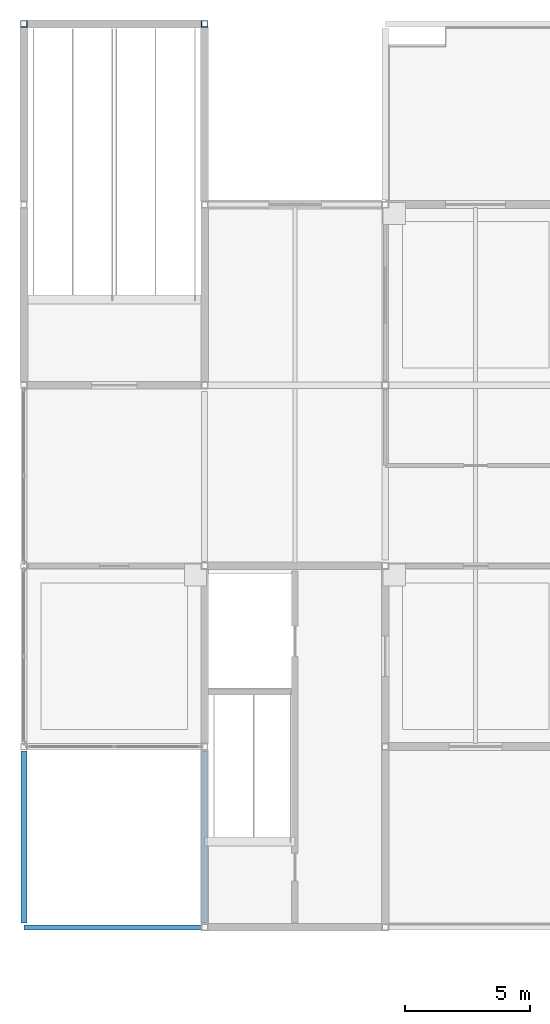
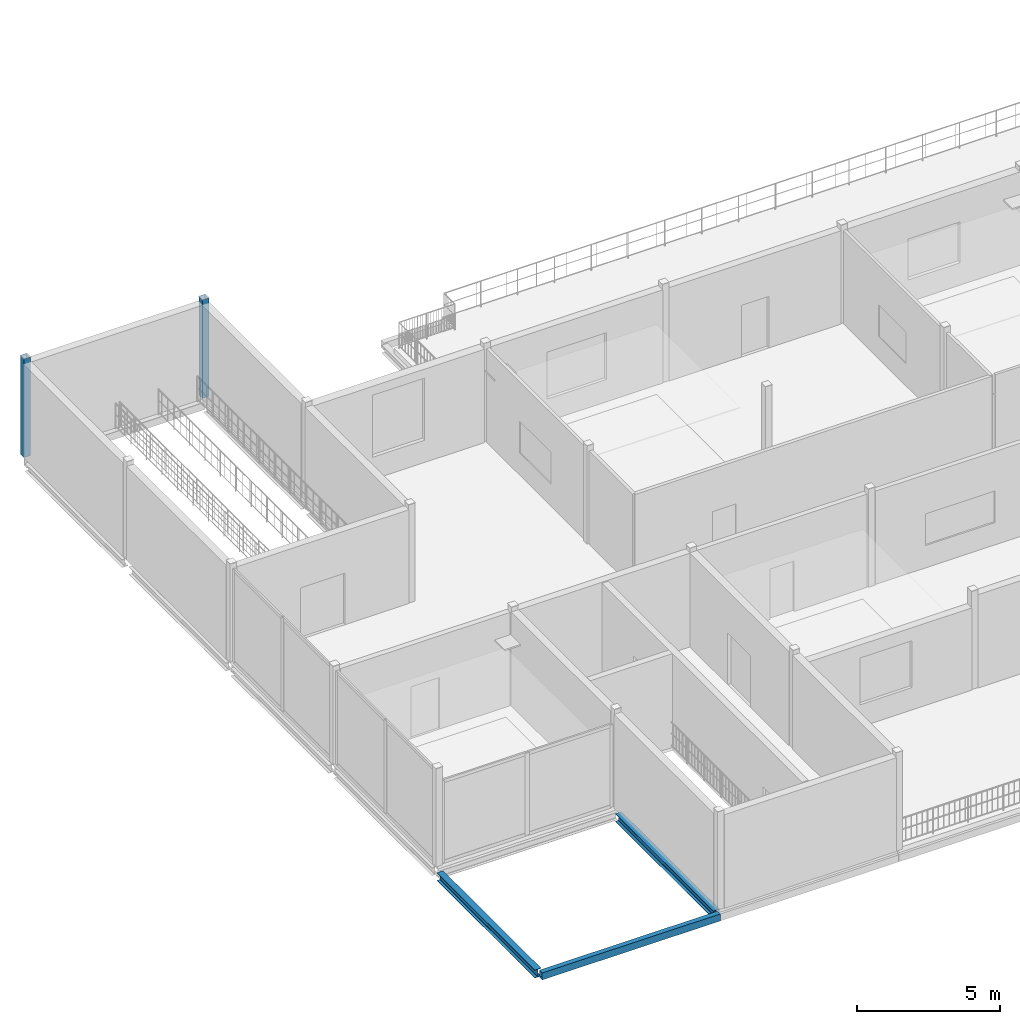
# One storey, part 4 of 18: 3 beams, 2 columns.
"""IFC4 building model written with IfcOpenShell, lengths in metres."""

from ifc_helpers import new_model, si_unit, direction, frame, origin, origin_2d, place, context, subcontext, project, spatial, hollow_rectangle, i_section, extrude, material, material_profile, profile_set, type_object, element, save


model = new_model("IFC4")

# Units and contexts
model_context = context("Model", 3, precision=1e-05, world=origin(), true_north=direction((0.0, 1.0)))
body_context = subcontext(model_context, "Body", "Model", "MODEL_VIEW")
ifc_project = project(units=[si_unit("LENGTHUNIT", "METRE"), si_unit("AREAUNIT", "SQUARE_METRE"), si_unit("VOLUMEUNIT", "CUBIC_METRE"), si_unit("PLANEANGLEUNIT", "RADIAN"), si_unit("MASSUNIT", "GRAM", prefix="KILO")], contexts=[model_context])

# Site, building, storey
site_placement = place(None, origin())
site = spatial("IfcSite", under=ifc_project, at=site_placement, CompositionType="ELEMENT")
building_placement = place(site_placement, origin())
building = spatial("IfcBuilding", under=site, at=building_placement, Name="Vesperath Aquatics Centre", CompositionType="ELEMENT")
storey_placement = place(building_placement, frame((0.0, 0.0, 23.39990234375)))
storey = spatial("IfcBuildingStorey", under=building, at=storey_placement, Name="L05", CompositionType="ELEMENT", Elevation=23.39990234375)

# Columns
ifc_material = material(Name="Steel Q355C", Category="steel")
ifc_material_profile_1 = material_profile(ifc_material, hollow_rectangle(XDim=0.260009765625, YDim=0.260009765625, WallThickness=0.011962890625, at=origin_2d()), Name="SHS 260x260x12")
ifc_profile_set_1 = profile_set([ifc_material_profile_1], Name="Steel Q355C")
column_type = type_object("IfcColumnType", Name="CL-C17", PredefinedType="COLUMN", material=ifc_profile_set_1)
for number, where, z_axis, x_axis, name in (
    (1, (115.199951171875, 36.0, 0.0), (0.0, 0.0, 1.0), (1.0, 0.0, 0.0), "Column C17 L05 17/F"),
    (2, (122.39990234375, 36.0, 0.0), (0.0, 0.0, 1.0), (1.0, 0.0, 0.0), "Column C17 L05 18/F"),
):
    element("IfcColumn", number, at=place(storey_placement, frame(where, z_axis=z_axis, x_axis=x_axis)), inside=storey, type_object=column_type, Name=name, PredefinedType="COLUMN", context=body_context, shape_type="SweptSolid", body=[
        extrude(hollow_rectangle(XDim=0.260009765625, YDim=0.260009765625, WallThickness=0.011962890625, at=origin_2d()), origin(), (0.0, 0.0, 1.0), 4.2001953125),
    ])

# Beams
ifc_material_profile_2 = material_profile(ifc_material, i_section(OverallWidth=0.25, OverallDepth=0.340087890625, WebThickness=0.009033203125, FlangeThickness=0.013916015625, FilletRadius=0.02001953125, at=origin_2d()), Name="HM 340x250x9x14")
ifc_profile_set_2 = profile_set([ifc_material_profile_2], Name="Steel Q355C")
beam_type_1 = type_object("IfcBeamType", Name="BM-G12", PredefinedType="BEAM", material=ifc_profile_set_2)
for number, where, z_axis, x_axis, name in (
    (3, (115.199951171875, 0.175048828125, -0.389892578125), (0.0, 1.0, 0.0), (-1.0, 0.0, 0.0), "Floor Girder B12 L05 17 A-B"),
    (4, (122.39990234375, 0.175048828125, -0.389892578125), (0.0, 1.0, 0.0), (-1.0, 0.0, 0.0), "Floor Girder B12 L05 18 A-B"),
):
    element("IfcBeam", number, at=place(storey_placement, frame(where, z_axis=z_axis, x_axis=x_axis)), inside=storey, type_object=beam_type_1, Name=name, PredefinedType="BEAM", context=body_context, shape_type="SweptSolid", body=[
        extrude(i_section(OverallWidth=0.25, OverallDepth=0.340087890625, WebThickness=0.009033203125, FlangeThickness=0.013916015625, FilletRadius=0.02001953125, at=origin_2d()), origin(), (0.0, 0.0, 1.0), 6.849853515625),
    ])
ifc_material_profile_3 = material_profile(ifc_material, hollow_rectangle(XDim=0.199951171875, YDim=0.300048828125, WallThickness=0.010009765625, at=origin_2d()), Name="RHS 300x200x10")
ifc_profile_set_3 = profile_set([ifc_material_profile_3], Name="Steel Q355C")
beam_type_2 = type_object("IfcBeamType", Name="BM-LN02", PredefinedType="LINTEL", material=ifc_profile_set_3)
beam_placement = place(storey_placement, frame((115.2060546875, 0.0, -0.369873046875), z_axis=(1.0, 0.0, 0.0), x_axis=(0.0, 1.0, 0.0)))
element("IfcBeam", 5, at=beam_placement, inside=storey, type_object=beam_type_2, Name="Floor Girder LN02 L05 A 17-18", PredefinedType="LINTEL", context=body_context, shape_type="SweptSolid", body=[
    extrude(hollow_rectangle(XDim=0.199951171875, YDim=0.300048828125, WallThickness=0.010009765625, at=origin_2d()), origin(), (0.0, 0.0, 1.0), 7.18798828125),
])

save(model, "model.ifc")
